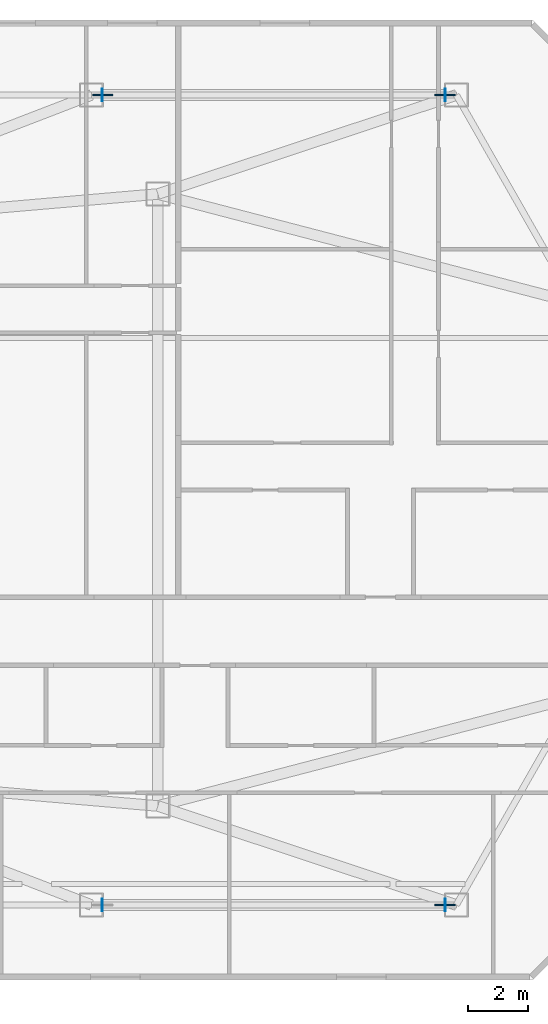
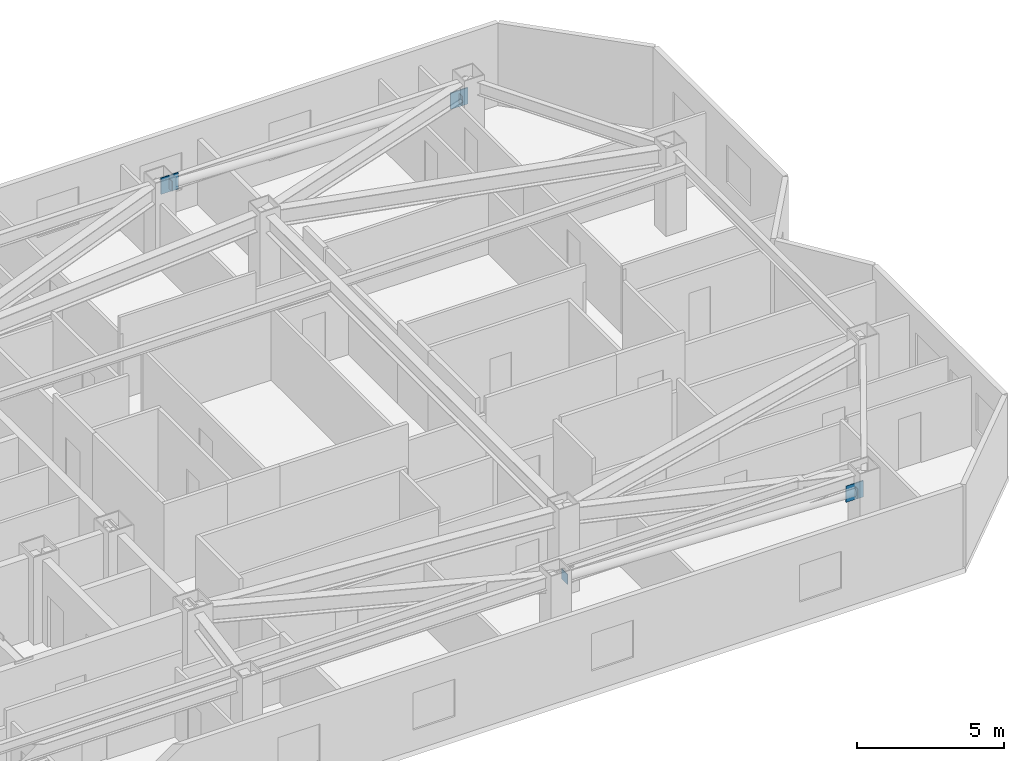
# One storey, part 7 of 14: 7 plates.
"""IFC4 building model written with IfcOpenShell, lengths in metres."""

from ifc_helpers import new_model, si_unit, direction, frame, origin, origin_2d, place, context, subcontext, project, spatial, rectangle, extrude, material, layer, layer_set, type_object, element, save


model = new_model("IFC4")

# Units and contexts
model_context = context("Model", 3, precision=1e-05, world=origin(), true_north=direction((0.0, 1.0)))
body_context = subcontext(model_context, "Body", "Model", "MODEL_VIEW")
ifc_project = project(units=[si_unit("LENGTHUNIT", "METRE"), si_unit("AREAUNIT", "SQUARE_METRE"), si_unit("VOLUMEUNIT", "CUBIC_METRE"), si_unit("PLANEANGLEUNIT", "RADIAN"), si_unit("MASSUNIT", "GRAM", prefix="KILO")], contexts=[model_context])

# Site, building, storey
site_placement = place(None, origin())
site = spatial("IfcSite", under=ifc_project, at=site_placement, CompositionType="ELEMENT")
building_placement = place(site_placement, origin())
building = spatial("IfcBuilding", under=site, at=building_placement, Name="Khamvora Tower", CompositionType="ELEMENT")
storey_placement = place(building_placement, frame((0.0, 0.0, 253.699951171875)))
storey = spatial("IfcBuildingStorey", under=building, at=storey_placement, Name="L65", CompositionType="ELEMENT", Elevation=253.699951171875)

# Plates
ifc_material_1 = material(Name="Steel S355", Category="steel")
ifc_layer_1 = layer(ifc_material_1, 0.02490234375)
ifc_layer_set_1 = layer_set([ifc_layer_1], Name="Steel S355")
plate_type_1 = type_object("IfcPlateType", Name="PL-CAP-25", PredefinedType="SHEET", material=ifc_layer_set_1)
for number, where, z_axis, x_axis, name in (
    (1, (62.882080078125, 14.5, 2.487060546875), (0.0, 0.0, 1.0), (-1.0, 0.0, 0.0), "L65 hollow section steel end cap plate 1170"),
    (2, (51.450927734375, 14.5, 2.93994140625), (0.0, 0.0, 1.0), (-1.0, 0.0, 0.0), "L65 hollow section steel end cap plate 1171"),
    (3, (62.882080078125, 41.5, 2.487060546875), (0.0, 0.0, 1.0), (-1.0, 0.0, 0.0), "L65 hollow section steel end cap plate 1172"),
    (4, (51.450927734375, 41.5, 2.93994140625), (0.0, 0.0, 1.0), (-1.0, 0.0, 0.0), "L65 hollow section steel end cap plate 1173"),
):
    element("IfcPlate", number, at=place(storey_placement, frame(where, z_axis=z_axis, x_axis=x_axis)), inside=storey, type_object=plate_type_1, Name=name, PredefinedType="SHEET", context=body_context, shape_type="SweptSolid", body=[
        extrude(rectangle(XDim=0.02490234375, YDim=0.416015625, at=origin_2d()), origin(), (0.0, 0.0, 1.0), 0.416015625),
    ])
ifc_material_2 = material(Name="Steel S460", Category="steel")
ifc_layer_2 = layer(ifc_material_2, 0.0400390625)
ifc_layer_set_2 = layer_set([ifc_layer_2], Name="Steel S460")
plate_type_2 = type_object("IfcPlateType", Name="PLT-GUS-40", PredefinedType="SHEET", material=ifc_layer_set_2)
for number, where, z_axis, x_axis, name in (
    (5, (62.8701171875, 14.5, 2.35498046875), (0.0, 0.0, 1.0), (1.0, 0.0, 0.0), "L65 brace connection node gusset plate 0413"),
    (6, (62.8701171875, 41.5, 2.35498046875), (0.0, 0.0, 1.0), (1.0, 0.0, 0.0), "L65 brace connection node gusset plate 0415"),
    (7, (51.462890625, 41.5, 2.80810546875), (0.0, 0.0, 1.0), (1.0, 0.0, 0.0), "L65 brace connection node gusset plate 0416"),
):
    element("IfcPlate", number, at=place(storey_placement, frame(where, z_axis=z_axis, x_axis=x_axis)), inside=storey, type_object=plate_type_2, Name=name, PredefinedType="SHEET", context=body_context, shape_type="SweptSolid", body=[
        extrude(rectangle(XDim=0.679931640625, YDim=0.0400390625, at=origin_2d()), origin(), (0.0, 0.0, 1.0), 0.679931640625),
    ])

save(model, "model.ifc")
